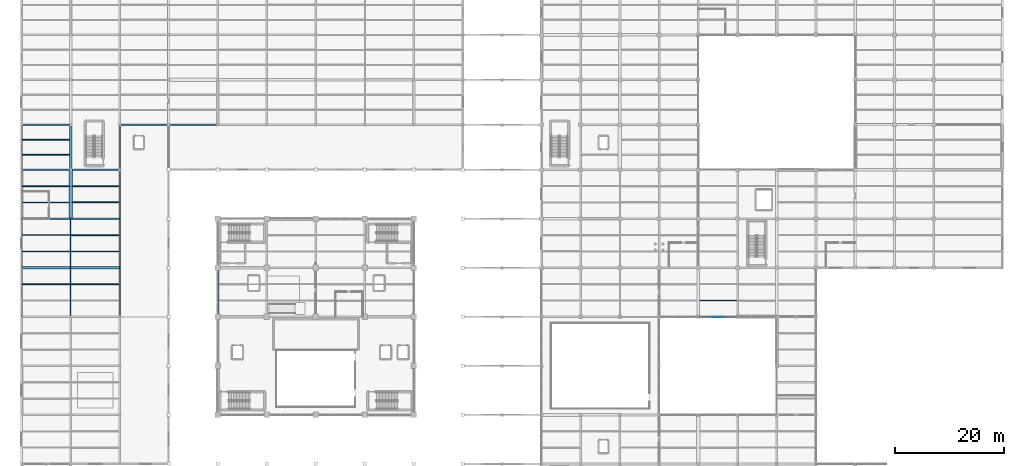
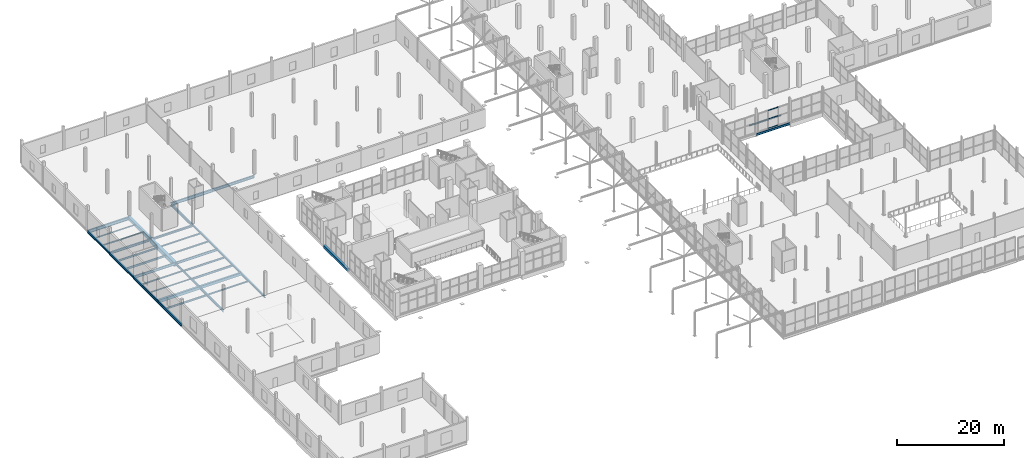
# One storey, part 49 of 147: 36 beams, 3 members, 1 element without a shape of its own.
"""IFC4 building model written with IfcOpenShell, lengths in metres."""

from ifc_helpers import new_model, si_unit, direction, frame, origin, origin_2d, place, context, subcontext, project, spatial, rectangle, hollow_rectangle, i_section, extrude, material, layer, layer_set, material_profile, profile_set, type_object, element, aggregate, save


model = new_model("IFC4")

# Units and contexts
model_context = context("Model", 3, precision=1e-05, world=origin(), true_north=direction((0.0, 1.0)))
body_context = subcontext(model_context, "Body", "Model", "MODEL_VIEW")
ifc_project = project(units=[si_unit("LENGTHUNIT", "METRE"), si_unit("AREAUNIT", "SQUARE_METRE"), si_unit("VOLUMEUNIT", "CUBIC_METRE"), si_unit("PLANEANGLEUNIT", "RADIAN"), si_unit("MASSUNIT", "GRAM", prefix="KILO")], contexts=[model_context])

# Site, building, storey
site_placement = place(None, origin())
site = spatial("IfcSite", under=ifc_project, at=site_placement, CompositionType="ELEMENT")
building_placement = place(site_placement, origin())
building = spatial("IfcBuilding", under=site, at=building_placement, Name="Sundgate Opera House", CompositionType="ELEMENT")
storey_placement = place(building_placement, frame((0.0, 0.0, 6.0)))
storey = spatial("IfcBuildingStorey", under=building, at=storey_placement, Name="L01", CompositionType="ELEMENT", Elevation=6.0)

# Beams
ifc_material_1 = material(Name="Steel S355J2", Category="steel")
ifc_material_profile_1 = material_profile(ifc_material_1, i_section(OverallWidth=0.300048828125, OverallDepth=0.43994140625, WebThickness=0.011474609375, FlangeThickness=0.02099609375, at=origin_2d()), Name="HEA 450")
ifc_profile_set_1 = profile_set([ifc_material_profile_1], Name="Steel S355J2")
beam_type_1 = type_object("IfcBeamType", Name="BM-GR-HEA450", PredefinedType="BEAM", material=ifc_profile_set_1)
beam_1_placement = place(storey_placement, frame((9.0, 87.0, -0.52001953125), z_axis=(1.0, 0.0, 0.0), x_axis=(0.0, 1.0, 0.0)))
element("IfcBeam", 1, at=beam_1_placement, inside=storey, type_object=beam_type_1, Name="L01 Primary E-W Girder B1390", PredefinedType="BEAM", context=body_context, shape_type="SweptSolid", body=[
    extrude(i_section(OverallWidth=0.300048828125, OverallDepth=0.43994140625, WebThickness=0.011474609375, FlangeThickness=0.02099609375, at=origin_2d()), origin(), (0.0, 0.0, 1.0), 9.0),
])
ifc_material_2 = material(Name="Steel S355J2", Category="steel")
ifc_material_profile_2 = material_profile(ifc_material_2, i_section(OverallWidth=0.300048828125, OverallDepth=0.489990234375, WebThickness=0.011962890625, FlangeThickness=0.02294921875, at=origin_2d()), Name="HEA 500")
ifc_profile_set_2 = profile_set([ifc_material_profile_2], Name="Steel S355J2")
beam_type_2 = type_object("IfcBeamType", Name="BM-GR-HEA500", PredefinedType="BEAM", material=ifc_profile_set_2)
beam_2_placement = place(storey_placement, frame((0.0, 87.0, -0.544921875), z_axis=(1.0, 0.0, 0.0), x_axis=(0.0, 1.0, 0.0)))
element("IfcBeam", 2, at=beam_2_placement, inside=storey, type_object=beam_type_2, Name="L01 Primary E-W Girder B1389", PredefinedType="BEAM", context=body_context, shape_type="SweptSolid", body=[
    extrude(i_section(OverallWidth=0.300048828125, OverallDepth=0.489990234375, WebThickness=0.011962890625, FlangeThickness=0.02294921875, at=origin_2d()), origin(), (0.0, 0.0, 1.0), 9.0),
])
ifc_material_3 = material(Name="Steel S355J2", Category="steel")
ifc_material_profile_3 = material_profile(ifc_material_3, i_section(OverallWidth=0.300048828125, OverallDepth=0.590087890625, WebThickness=0.012939453125, FlangeThickness=0.02490234375, at=origin_2d()), Name="HEA 600")
ifc_profile_set_3 = profile_set([ifc_material_profile_3], Name="Steel S355J2")
beam_type_3 = type_object("IfcBeamType", Name="BM-GR-HEA600", PredefinedType="BEAM", material=ifc_profile_set_3)
beam_3_placement = place(storey_placement, frame((18.0, 87.0, -0.594970703125), z_axis=(0.0, 1.0, 0.0), x_axis=(-1.0, 0.0, 0.0)))
element("IfcBeam", 3, at=beam_3_placement, inside=storey, type_object=beam_type_3, Name="L01 Primary N-S Girder B1102", PredefinedType="BEAM", context=body_context, shape_type="SweptSolid", body=[
    extrude(i_section(OverallWidth=0.300048828125, OverallDepth=0.590087890625, WebThickness=0.012939453125, FlangeThickness=0.02490234375, at=origin_2d()), origin(), (0.0, 0.0, 1.0), 8.25),
])
ifc_material_4 = material(Name="Steel S355J2", Category="steel")
ifc_material_profile_4 = material_profile(ifc_material_4, i_section(OverallWidth=0.300048828125, OverallDepth=0.360107421875, WebThickness=0.012451171875, FlangeThickness=0.0224609375, at=origin_2d()), Name="HEB 360")
ifc_profile_set_4 = profile_set([ifc_material_profile_4], Name="Steel S355J2")
beam_type_4 = type_object("IfcBeamType", Name="BM-GR-HEB360", PredefinedType="BEAM", material=ifc_profile_set_4)
beam_4_placement = place(storey_placement, frame((18.0, 78.0, -0.47998046875), z_axis=(0.0, 1.0, 0.0), x_axis=(-1.0, 0.0, 0.0)))
element("IfcBeam", 4, at=beam_4_placement, inside=storey, type_object=beam_type_4, Name="L01 Primary N-S Girder B1101", PredefinedType="BEAM", context=body_context, shape_type="SweptSolid", body=[
    extrude(i_section(OverallWidth=0.300048828125, OverallDepth=0.360107421875, WebThickness=0.012451171875, FlangeThickness=0.0224609375, at=origin_2d()), origin(), (0.0, 0.0, 1.0), 9.0),
])
ifc_material_5 = material(Name="Steel S355J2", Category="steel")
ifc_material_profile_5 = material_profile(ifc_material_5, i_section(OverallWidth=0.300048828125, OverallDepth=0.39990234375, WebThickness=0.013427734375, FlangeThickness=0.02392578125, at=origin_2d()), Name="HEB 400")
ifc_profile_set_5 = profile_set([ifc_material_profile_5], Name="Steel S355J2")
beam_type_5 = type_object("IfcBeamType", Name="BM-GR-HEB400", PredefinedType="BEAM", material=ifc_profile_set_5)
beam_5_placement = place(storey_placement, frame((18.0, 69.0, -0.5), z_axis=(0.0, 1.0, 0.0), x_axis=(-1.0, 0.0, 0.0)))
element("IfcBeam", 5, at=beam_5_placement, inside=storey, type_object=beam_type_5, Name="L01 Primary N-S Girder B1100", PredefinedType="BEAM", context=body_context, shape_type="SweptSolid", body=[
    extrude(i_section(OverallWidth=0.300048828125, OverallDepth=0.39990234375, WebThickness=0.013427734375, FlangeThickness=0.02392578125, at=origin_2d()), origin(), (0.0, 0.0, 1.0), 9.0),
])
ifc_material_6 = material(Name="Steel S355J2", Category="steel")
ifc_material_profile_6 = material_profile(ifc_material_6, i_section(OverallWidth=0.300048828125, OverallDepth=0.449951171875, WebThickness=0.013916015625, FlangeThickness=0.02587890625, at=origin_2d()), Name="HEB 450")
ifc_profile_set_6 = profile_set([ifc_material_profile_6], Name="Steel S355J2")
beam_type_6 = type_object("IfcBeamType", Name="BM-GR-HEB450", PredefinedType="BEAM", material=ifc_profile_set_6)
beam_6_placement = place(storey_placement, frame((18.0, 60.0, -0.52490234375), z_axis=(0.0, 1.0, 0.0), x_axis=(-1.0, 0.0, 0.0)))
element("IfcBeam", 6, at=beam_6_placement, inside=storey, type_object=beam_type_6, Name="L01 Primary N-S Girder B1099", PredefinedType="BEAM", context=body_context, shape_type="SweptSolid", body=[
    extrude(i_section(OverallWidth=0.300048828125, OverallDepth=0.449951171875, WebThickness=0.013916015625, FlangeThickness=0.02587890625, at=origin_2d()), origin(), (0.0, 0.0, 1.0), 9.0),
])
ifc_material_7 = material(Name="Steel S355J2", Category="steel")
ifc_material_profile_7 = material_profile(ifc_material_7, i_section(OverallWidth=0.300048828125, OverallDepth=0.5, WebThickness=0.014404296875, FlangeThickness=0.028076171875, at=origin_2d()), Name="HEB 500")
ifc_profile_set_7 = profile_set([ifc_material_profile_7], Name="Steel S355J2")
beam_type_7 = type_object("IfcBeamType", Name="BM-GR-HEB500", PredefinedType="BEAM", material=ifc_profile_set_7)
beam_7_placement = place(storey_placement, frame((0.0, 87.0, -0.550048828125), z_axis=(0.0, 1.0, 0.0), x_axis=(-1.0, 0.0, 0.0)))
element("IfcBeam", 7, at=beam_7_placement, inside=storey, type_object=beam_type_7, Name="L01 Primary N-S Girder B1076", PredefinedType="BEAM", context=body_context, shape_type="SweptSolid", body=[
    extrude(i_section(OverallWidth=0.300048828125, OverallDepth=0.5, WebThickness=0.014404296875, FlangeThickness=0.028076171875, at=origin_2d()), origin(), (0.0, 0.0, 1.0), 8.25),
])
ifc_material_8 = material(Name="Steel S355J2", Category="steel")
ifc_material_profile_8 = material_profile(ifc_material_8, i_section(OverallWidth=0.300048828125, OverallDepth=0.550048828125, WebThickness=0.014892578125, FlangeThickness=0.029052734375, at=origin_2d()), Name="HEB 550")
ifc_profile_set_8 = profile_set([ifc_material_profile_8], Name="Steel S355J2")
beam_type_8 = type_object("IfcBeamType", Name="BM-GR-HEB550", PredefinedType="BEAM", material=ifc_profile_set_8)
beam_8_placement = place(storey_placement, frame((0.0, 78.0, -0.574951171875), z_axis=(0.0, 1.0, 0.0), x_axis=(-1.0, 0.0, 0.0)))
element("IfcBeam", 8, at=beam_8_placement, inside=storey, type_object=beam_type_8, Name="L01 Primary N-S Girder B1075", PredefinedType="BEAM", context=body_context, shape_type="SweptSolid", body=[
    extrude(i_section(OverallWidth=0.300048828125, OverallDepth=0.550048828125, WebThickness=0.014892578125, FlangeThickness=0.029052734375, at=origin_2d()), origin(), (0.0, 0.0, 1.0), 9.0),
])
ifc_material_9 = material(Name="Steel S355J2", Category="steel")
ifc_material_profile_9 = material_profile(ifc_material_9, i_section(OverallWidth=0.300048828125, OverallDepth=0.60009765625, WebThickness=0.015380859375, FlangeThickness=0.030029296875, at=origin_2d()), Name="HEB 600")
ifc_profile_set_9 = profile_set([ifc_material_profile_9], Name="Steel S355J2")
beam_type_9 = type_object("IfcBeamType", Name="BM-GR-HEB600", PredefinedType="BEAM", material=ifc_profile_set_9)
for number, where, z_axis, x_axis, name in (
    (9, (0.0, 69.0, -0.60009765625), (0.0, 1.0, 0.0), (-1.0, 0.0, 0.0), "L01 Primary N-S Girder B1074"),
    (10, (27.0, 95.25, -0.60009765625), (1.0, 0.0, 0.0), (0.0, 1.0, 0.0), "L01 Primary E-W Girder B1404"),
):
    element("IfcBeam", number, at=place(storey_placement, frame(where, z_axis=z_axis, x_axis=x_axis)), inside=storey, type_object=beam_type_9, Name=name, PredefinedType="BEAM", context=body_context, shape_type="SweptSolid", body=[
        extrude(i_section(OverallWidth=0.300048828125, OverallDepth=0.60009765625, WebThickness=0.015380859375, FlangeThickness=0.030029296875, at=origin_2d()), origin(), (0.0, 0.0, 1.0), 9.0),
    ])
ifc_material_10 = material(Name="Steel S355J2", Category="steel")
ifc_material_profile_10 = material_profile(ifc_material_10, i_section(OverallWidth=0.300048828125, OverallDepth=0.64990234375, WebThickness=0.01611328125, FlangeThickness=0.031005859375, at=origin_2d()), Name="HEB 650")
ifc_profile_set_10 = profile_set([ifc_material_profile_10], Name="Steel S355J2")
beam_type_10 = type_object("IfcBeamType", Name="BM-GR-HEB650", PredefinedType="BEAM", material=ifc_profile_set_10)
for number, where, z_axis, x_axis, name in (
    (11, (0.0, 60.0, -0.625), (0.0, 1.0, 0.0), (-1.0, 0.0, 0.0), "L01 Primary N-S Girder B1073"),
    (12, (18.0, 95.25, -0.625), (1.0, 0.0, 0.0), (0.0, 1.0, 0.0), "L01 Primary E-W Girder B1403"),
):
    element("IfcBeam", number, at=place(storey_placement, frame(where, z_axis=z_axis, x_axis=x_axis)), inside=storey, type_object=beam_type_10, Name=name, PredefinedType="BEAM", context=body_context, shape_type="SweptSolid", body=[
        extrude(i_section(OverallWidth=0.300048828125, OverallDepth=0.64990234375, WebThickness=0.01611328125, FlangeThickness=0.031005859375, at=origin_2d()), origin(), (0.0, 0.0, 1.0), 9.0),
    ])
ifc_material_11 = material(Name="Steel S355J2", Category="steel")
ifc_material_profile_11 = material_profile(ifc_material_11, i_section(OverallWidth=0.300048828125, OverallDepth=0.699951171875, WebThickness=0.01708984375, FlangeThickness=0.031982421875, at=origin_2d()), Name="HEB 700")
ifc_profile_set_11 = profile_set([ifc_material_profile_11], Name="Steel S355J2")
beam_type_11 = type_object("IfcBeamType", Name="BM-GR-HEB700", PredefinedType="BEAM", material=ifc_profile_set_11)
beam_9_placement = place(storey_placement, frame((0.0, 95.25, -0.64990234375), z_axis=(1.0, 0.0, 0.0), x_axis=(0.0, 1.0, 0.0)))
element("IfcBeam", 13, at=beam_9_placement, inside=storey, type_object=beam_type_11, Name="L01 Primary E-W Girder B1402", PredefinedType="BEAM", context=body_context, shape_type="SweptSolid", body=[
    extrude(i_section(OverallWidth=0.300048828125, OverallDepth=0.699951171875, WebThickness=0.01708984375, FlangeThickness=0.031982421875, at=origin_2d()), origin(), (0.0, 0.0, 1.0), 9.0),
])
ifc_material_12 = material(Name="Steel S355J2", Category="steel")
ifc_material_profile_12 = material_profile(ifc_material_12, i_section(OverallWidth=0.199951171875, OverallDepth=0.5, WebThickness=0.01025390625, FlangeThickness=0.01611328125, at=origin_2d()), Name="IPE 500")
ifc_profile_set_12 = profile_set([ifc_material_profile_12], Name="Steel S355J2")
beam_type_12 = type_object("IfcBeamType", Name="BM-GR-IPE500", PredefinedType="BEAM", material=ifc_profile_set_12)
beam_10_placement = place(storey_placement, frame((9.0, 69.0, -0.550048828125), z_axis=(0.0, 1.0, 0.0), x_axis=(-1.0, 0.0, 0.0)))
element("IfcBeam", 14, at=beam_10_placement, inside=storey, type_object=beam_type_12, Name="L01 Primary N-S Girder B1088", PredefinedType="BEAM", context=body_context, shape_type="SweptSolid", body=[
    extrude(i_section(OverallWidth=0.199951171875, OverallDepth=0.5, WebThickness=0.01025390625, FlangeThickness=0.01611328125, at=origin_2d()), origin(), (0.0, 0.0, 1.0), 9.0),
])
beam_11_placement = place(storey_placement, frame((124.199951171875, 60.0, -0.550048828125), z_axis=(1.0, 0.0, 0.0), x_axis=(0.0, 1.0, 0.0)))
element("IfcBeam", 15, at=beam_11_placement, inside=storey, type_object=beam_type_12, Name="L01 Primary E-W Girder B1352", PredefinedType="BEAM", context=body_context, shape_type="SweptSolid", body=[
    extrude(i_section(OverallWidth=0.199951171875, OverallDepth=0.5, WebThickness=0.01025390625, FlangeThickness=0.01611328125, at=origin_2d()), origin(), (0.0, 0.0, 1.0), 7.199951171875),
])
ifc_material_13 = material(Name="Steel S355J2", Category="steel")
ifc_material_profile_13 = material_profile(ifc_material_13, i_section(OverallWidth=0.2099609375, OverallDepth=0.550048828125, WebThickness=0.010986328125, FlangeThickness=0.01708984375, at=origin_2d()), Name="IPE 550")
ifc_profile_set_13 = profile_set([ifc_material_profile_13], Name="Steel S355J2")
beam_type_13 = type_object("IfcBeamType", Name="BM-GR-IPE550", PredefinedType="BEAM", material=ifc_profile_set_13)
for number, where, z_axis, x_axis, name in (
    (16, (9.0, 60.0, -0.574951171875), (0.0, 1.0, 0.0), (-1.0, 0.0, 0.0), "L01 Primary N-S Girder B1087"),
    (17, (9.0, 78.0, -0.574951171875), (1.0, 0.0, 0.0), (0.0, 1.0, 0.0), "L01 Primary E-W Girder B1373"),
):
    element("IfcBeam", number, at=place(storey_placement, frame(where, z_axis=z_axis, x_axis=x_axis)), inside=storey, type_object=beam_type_13, Name=name, PredefinedType="BEAM", context=body_context, shape_type="SweptSolid", body=[
        extrude(i_section(OverallWidth=0.2099609375, OverallDepth=0.550048828125, WebThickness=0.010986328125, FlangeThickness=0.01708984375, at=origin_2d()), origin(), (0.0, 0.0, 1.0), 9.0),
    ])
ifc_material_14 = material(Name="Steel S355J2", Category="steel")
ifc_material_profile_14 = material_profile(ifc_material_14, i_section(OverallWidth=0.219970703125, OverallDepth=0.60009765625, WebThickness=0.011962890625, FlangeThickness=0.01904296875, at=origin_2d()), Name="IPE 600")
ifc_profile_set_14 = profile_set([ifc_material_profile_14], Name="Steel S355J2")
beam_type_14 = type_object("IfcBeamType", Name="BM-GR-IPE600", PredefinedType="BEAM", material=ifc_profile_set_14)
beam_12_placement = place(storey_placement, frame((0.0, 78.0, -0.60009765625), z_axis=(1.0, 0.0, 0.0), x_axis=(0.0, 1.0, 0.0)))
element("IfcBeam", 18, at=beam_12_placement, inside=storey, type_object=beam_type_14, Name="L01 Primary E-W Girder B1372", PredefinedType="BEAM", context=body_context, shape_type="SweptSolid", body=[
    extrude(i_section(OverallWidth=0.219970703125, OverallDepth=0.60009765625, WebThickness=0.011962890625, FlangeThickness=0.01904296875, at=origin_2d()), origin(), (0.0, 0.0, 1.0), 9.0),
])
ifc_material_15 = material(Name="Steel S355J2", Category="steel")
ifc_material_profile_15 = material_profile(ifc_material_15, i_section(OverallWidth=0.1201171875, OverallDepth=0.239990234375, WebThickness=0.006103515625, FlangeThickness=0.009765625, at=origin_2d()), Name="IPE 240")
ifc_profile_set_15 = profile_set([ifc_material_profile_15], Name="Steel S355J2")
beam_type_15 = type_object("IfcBeamType", Name="BM-JS-IPE240", PredefinedType="JOIST", material=ifc_profile_set_15)
beam_13_placement = place(storey_placement, frame((124.449951171875, 63.0, -0.419921875), z_axis=(1.0, 0.0, 0.0), x_axis=(0.0, 1.0, 0.0)))
element("IfcBeam", 19, at=beam_13_placement, inside=storey, type_object=beam_type_15, Name="L01 Secondary Floor Joist B1602", PredefinedType="JOIST", context=body_context, shape_type="SweptSolid", body=[
    extrude(i_section(OverallWidth=0.1201171875, OverallDepth=0.239990234375, WebThickness=0.006103515625, FlangeThickness=0.009765625, at=origin_2d()), origin(), (0.0, 0.0, 1.0), 6.800048828125),
])
beam_14_placement = place(storey_placement, frame((0.14990234375, 75.0, -0.419921875), z_axis=(1.0, 0.0, 0.0), x_axis=(0.0, 1.0, 0.0)))
element("IfcBeam", 20, at=beam_14_placement, inside=storey, type_object=beam_type_15, Name="L01 Secondary Floor Joist B1609", PredefinedType="JOIST", context=body_context, shape_type="SweptSolid", body=[
    extrude(i_section(OverallWidth=0.1201171875, OverallDepth=0.239990234375, WebThickness=0.006103515625, FlangeThickness=0.009765625, at=origin_2d()), origin(), (0.0, 0.0, 1.0), 8.75),
])
ifc_material_16 = material(Name="Steel S355J2", Category="steel")
ifc_material_profile_16 = material_profile(ifc_material_16, i_section(OverallWidth=0.135009765625, OverallDepth=0.27001953125, WebThickness=0.006591796875, FlangeThickness=0.01025390625, at=origin_2d()), Name="IPE 270")
ifc_profile_set_16 = profile_set([ifc_material_profile_16], Name="Steel S355J2")
beam_type_16 = type_object("IfcBeamType", Name="BM-JS-IPE270", PredefinedType="JOIST", material=ifc_profile_set_16)
beam_15_placement = place(storey_placement, frame((0.14990234375, 72.0, -0.43505859375), z_axis=(1.0, 0.0, 0.0), x_axis=(0.0, 1.0, 0.0)))
element("IfcBeam", 21, at=beam_15_placement, inside=storey, type_object=beam_type_16, Name="L01 Secondary Floor Joist B1608", PredefinedType="JOIST", context=body_context, shape_type="SweptSolid", body=[
    extrude(i_section(OverallWidth=0.135009765625, OverallDepth=0.27001953125, WebThickness=0.006591796875, FlangeThickness=0.01025390625, at=origin_2d()), origin(), (0.0, 0.0, 1.0), 8.75),
])
beam_16_placement = place(storey_placement, frame((0.14990234375, 92.5, -0.43505859375), z_axis=(1.0, 0.0, 0.0), x_axis=(0.0, 1.0, 0.0)))
element("IfcBeam", 22, at=beam_16_placement, inside=storey, type_object=beam_type_16, Name="L01 Secondary Floor Joist B1664", PredefinedType="JOIST", context=body_context, shape_type="SweptSolid", body=[
    extrude(i_section(OverallWidth=0.135009765625, OverallDepth=0.27001953125, WebThickness=0.006591796875, FlangeThickness=0.01025390625, at=origin_2d()), origin(), (0.0, 0.0, 1.0), 8.60009765625),
])
ifc_material_17 = material(Name="Steel S355J2", Category="steel")
ifc_material_profile_17 = material_profile(ifc_material_17, i_section(OverallWidth=0.14990234375, OverallDepth=0.300048828125, WebThickness=0.007080078125, FlangeThickness=0.0107421875, at=origin_2d()), Name="IPE 300")
ifc_profile_set_17 = profile_set([ifc_material_profile_17], Name="Steel S355J2")
beam_type_17 = type_object("IfcBeamType", Name="BM-JS-IPE300", PredefinedType="JOIST", material=ifc_profile_set_17)
beam_17_placement = place(storey_placement, frame((0.14990234375, 89.75, -0.449951171875), z_axis=(1.0, 0.0, 0.0), x_axis=(0.0, 1.0, 0.0)))
element("IfcBeam", 23, at=beam_17_placement, inside=storey, type_object=beam_type_17, Name="L01 Secondary Floor Joist B1663", PredefinedType="JOIST", context=body_context, shape_type="SweptSolid", body=[
    extrude(i_section(OverallWidth=0.14990234375, OverallDepth=0.300048828125, WebThickness=0.007080078125, FlangeThickness=0.0107421875, at=origin_2d()), origin(), (0.0, 0.0, 1.0), 8.60009765625),
])
ifc_material_18 = material(Name="Steel S355J2", Category="steel")
ifc_material_profile_18 = material_profile(ifc_material_18, i_section(OverallWidth=0.159912109375, OverallDepth=0.330078125, WebThickness=0.007568359375, FlangeThickness=0.011474609375, at=origin_2d()), Name="IPE 330")
ifc_profile_set_18 = profile_set([ifc_material_profile_18], Name="Steel S355J2")
beam_type_18 = type_object("IfcBeamType", Name="BM-JS-IPE330", PredefinedType="JOIST", material=ifc_profile_set_18)
beam_18_placement = place(storey_placement, frame((9.10498046875, 66.0, -0.465087890625), z_axis=(1.0, 0.0, 0.0), x_axis=(0.0, 1.0, 0.0)))
element("IfcBeam", 24, at=beam_18_placement, inside=storey, type_object=beam_type_18, Name="L01 Secondary Floor Joist B1585", PredefinedType="JOIST", context=body_context, shape_type="SweptSolid", body=[
    extrude(i_section(OverallWidth=0.159912109375, OverallDepth=0.330078125, WebThickness=0.007568359375, FlangeThickness=0.011474609375, at=origin_2d()), origin(), (0.0, 0.0, 1.0), 8.7451171875),
])
beam_19_placement = place(storey_placement, frame((9.300048828125, 84.0, -0.465087890625), z_axis=(1.0, 0.0, 0.0), x_axis=(0.0, 1.0, 0.0)))
element("IfcBeam", 25, at=beam_19_placement, inside=storey, type_object=beam_type_18, Name="L01 Secondary Floor Joist B1641", PredefinedType="JOIST", context=body_context, shape_type="SweptSolid", body=[
    extrude(i_section(OverallWidth=0.159912109375, OverallDepth=0.330078125, WebThickness=0.007568359375, FlangeThickness=0.011474609375, at=origin_2d()), origin(), (0.0, 0.0, 1.0), 8.550048828125),
])
ifc_material_19 = material(Name="Steel S355J2", Category="steel")
ifc_material_profile_19 = material_profile(ifc_material_19, i_section(OverallWidth=0.169921875, OverallDepth=0.360107421875, WebThickness=0.008056640625, FlangeThickness=0.0126953125, at=origin_2d()), Name="IPE 360")
ifc_profile_set_19 = profile_set([ifc_material_profile_19], Name="Steel S355J2")
beam_type_19 = type_object("IfcBeamType", Name="BM-JS-IPE360", PredefinedType="JOIST", material=ifc_profile_set_19)
beam_20_placement = place(storey_placement, frame((9.300048828125, 81.0, -0.47998046875), z_axis=(1.0, 0.0, 0.0), x_axis=(0.0, 1.0, 0.0)))
element("IfcBeam", 26, at=beam_20_placement, inside=storey, type_object=beam_type_19, Name="L01 Secondary Floor Joist B1640", PredefinedType="JOIST", context=body_context, shape_type="SweptSolid", body=[
    extrude(i_section(OverallWidth=0.169921875, OverallDepth=0.360107421875, WebThickness=0.008056640625, FlangeThickness=0.0126953125, at=origin_2d()), origin(), (0.0, 0.0, 1.0), 8.550048828125),
])
ifc_material_20 = material(Name="Steel S355J2", Category="steel")
ifc_material_profile_20 = material_profile(ifc_material_20, i_section(OverallWidth=0.179931640625, OverallDepth=0.39990234375, WebThickness=0.008544921875, FlangeThickness=0.013427734375, at=origin_2d()), Name="IPE 400")
ifc_profile_set_20 = profile_set([ifc_material_profile_20], Name="Steel S355J2")
beam_type_20 = type_object("IfcBeamType", Name="BM-JS-IPE400", PredefinedType="JOIST", material=ifc_profile_set_20)
beam_21_placement = place(storey_placement, frame((0.14990234375, 66.0, -0.5), z_axis=(1.0, 0.0, 0.0), x_axis=(0.0, 1.0, 0.0)))
element("IfcBeam", 27, at=beam_21_placement, inside=storey, type_object=beam_type_20, Name="L01 Secondary Floor Joist B1583", PredefinedType="JOIST", context=body_context, shape_type="SweptSolid", body=[
    extrude(i_section(OverallWidth=0.179931640625, OverallDepth=0.39990234375, WebThickness=0.008544921875, FlangeThickness=0.013427734375, at=origin_2d()), origin(), (0.0, 0.0, 1.0), 8.7451171875),
])
beam_22_placement = place(storey_placement, frame((9.10009765625, 75.0, -0.5), z_axis=(1.0, 0.0, 0.0), x_axis=(0.0, 1.0, 0.0)))
element("IfcBeam", 28, at=beam_22_placement, inside=storey, type_object=beam_type_20, Name="L01 Secondary Floor Joist B1611", PredefinedType="JOIST", context=body_context, shape_type="SweptSolid", body=[
    extrude(i_section(OverallWidth=0.179931640625, OverallDepth=0.39990234375, WebThickness=0.008544921875, FlangeThickness=0.013427734375, at=origin_2d()), origin(), (0.0, 0.0, 1.0), 8.75),
])
beam_23_placement = place(storey_placement, frame((0.14990234375, 84.0, -0.5), z_axis=(1.0, 0.0, 0.0), x_axis=(0.0, 1.0, 0.0)))
element("IfcBeam", 29, at=beam_23_placement, inside=storey, type_object=beam_type_20, Name="L01 Secondary Floor Joist B1639", PredefinedType="JOIST", context=body_context, shape_type="SweptSolid", body=[
    extrude(i_section(OverallWidth=0.179931640625, OverallDepth=0.39990234375, WebThickness=0.008544921875, FlangeThickness=0.013427734375, at=origin_2d()), origin(), (0.0, 0.0, 1.0), 8.550048828125),
])
ifc_material_21 = material(Name="Steel S355J2", Category="steel")
ifc_material_profile_21 = material_profile(ifc_material_21, i_section(OverallWidth=0.18994140625, OverallDepth=0.449951171875, WebThickness=0.009521484375, FlangeThickness=0.0146484375, at=origin_2d()), Name="IPE 450")
ifc_profile_set_21 = profile_set([ifc_material_profile_21], Name="Steel S355J2")
beam_type_21 = type_object("IfcBeamType", Name="BM-JS-IPE450", PredefinedType="JOIST", material=ifc_profile_set_21)
beam_24_placement = place(storey_placement, frame((9.10009765625, 72.0, -0.52490234375), z_axis=(1.0, 0.0, 0.0), x_axis=(0.0, 1.0, 0.0)))
element("IfcBeam", 30, at=beam_24_placement, inside=storey, type_object=beam_type_21, Name="L01 Secondary Floor Joist B1610", PredefinedType="JOIST", context=body_context, shape_type="SweptSolid", body=[
    extrude(i_section(OverallWidth=0.18994140625, OverallDepth=0.449951171875, WebThickness=0.009521484375, FlangeThickness=0.0146484375, at=origin_2d()), origin(), (0.0, 0.0, 1.0), 8.75),
])
beam_25_placement = place(storey_placement, frame((0.14990234375, 81.0, -0.52490234375), z_axis=(1.0, 0.0, 0.0), x_axis=(0.0, 1.0, 0.0)))
element("IfcBeam", 31, at=beam_25_placement, inside=storey, type_object=beam_type_21, Name="L01 Secondary Floor Joist B1638", PredefinedType="JOIST", context=body_context, shape_type="SweptSolid", body=[
    extrude(i_section(OverallWidth=0.18994140625, OverallDepth=0.449951171875, WebThickness=0.009521484375, FlangeThickness=0.0146484375, at=origin_2d()), origin(), (0.0, 0.0, 1.0), 8.550048828125),
])
ifc_material_22 = material(Name="Concrete C35/45", Category="concrete")
ifc_material_profile_22 = material_profile(ifc_material_22, rectangle(XDim=0.39990234375, YDim=0.60009765625, at=origin_2d()), Name="RC 400x600")
ifc_profile_set_22 = profile_set([ifc_material_profile_22], Name="Concrete C35/45")
beam_type_22 = type_object("IfcBeamType", Name="BM-RC-400x600", PredefinedType="BEAM", material=ifc_profile_set_22)
beam_26_placement = place(storey_placement, frame((9.0, 69.0, -0.60009765625), z_axis=(1.0, 0.0, 0.0), x_axis=(0.0, 1.0, 0.0)))
element("IfcBeam", 32, at=beam_26_placement, inside=storey, type_object=beam_type_22, Name="L01 Primary E-W Girder B1356", PredefinedType="BEAM", context=body_context, shape_type="SweptSolid", body=[
    extrude(rectangle(XDim=0.39990234375, YDim=0.60009765625, at=origin_2d()), origin(), (0.0, 0.0, 1.0), 9.0),
])
ifc_material_23 = material(Name="Concrete C35/45", Category="concrete")
ifc_material_profile_23 = material_profile(ifc_material_23, rectangle(XDim=0.449951171875, YDim=0.64990234375, at=origin_2d()), Name="RC 450x650")
ifc_profile_set_23 = profile_set([ifc_material_profile_23], Name="Concrete C35/45")
beam_type_23 = type_object("IfcBeamType", Name="BM-RC-450x650", PredefinedType="BEAM", material=ifc_profile_set_23)
for number, where, z_axis, x_axis, name in (
    (33, (36.0, 60.0, -0.625), (0.0, 1.0, 0.0), (-1.0, 0.0, 0.0), "L01 Primary N-S Girder B1113"),
    (34, (0.0, 69.0, -0.625), (1.0, 0.0, 0.0), (0.0, 1.0, 0.0), "L01 Primary E-W Girder B1355"),
):
    element("IfcBeam", number, at=place(storey_placement, frame(where, z_axis=z_axis, x_axis=x_axis)), inside=storey, type_object=beam_type_23, Name=name, PredefinedType="BEAM", context=body_context, shape_type="SweptSolid", body=[
        extrude(rectangle(XDim=0.449951171875, YDim=0.64990234375, at=origin_2d()), origin(), (0.0, 0.0, 1.0), 9.0),
    ])
ifc_material_24 = material(Name="Concrete C40/50", Category="concrete")
ifc_material_profile_24 = material_profile(ifc_material_24, rectangle(XDim=0.5, YDim=0.75, at=origin_2d()), Name="RC 500x750")
ifc_profile_set_24 = profile_set([ifc_material_profile_24], Name="Concrete C40/50")
beam_type_24 = type_object("IfcBeamType", Name="BM-RC-500x750", PredefinedType="BEAM", material=ifc_profile_set_24)
beam_27_placement = place(storey_placement, frame((9.0, 87.0, -0.675048828125), z_axis=(0.0, 1.0, 0.0), x_axis=(-1.0, 0.0, 0.0)))
element("IfcBeam", 35, at=beam_27_placement, inside=storey, type_object=beam_type_24, Name="L01 Primary N-S Girder B1090", PredefinedType="BEAM", context=body_context, shape_type="SweptSolid", body=[
    extrude(rectangle(XDim=0.5, YDim=0.75, at=origin_2d()), origin(), (0.0, 0.0, 1.0), 8.25),
])
ifc_material_25 = material(Name="Concrete C40/50", Category="concrete")
ifc_material_profile_25 = material_profile(ifc_material_25, rectangle(XDim=0.60009765625, YDim=0.949951171875, at=origin_2d()), Name="RC 600x950")
ifc_profile_set_25 = profile_set([ifc_material_profile_25], Name="Concrete C40/50")
beam_type_25 = type_object("IfcBeamType", Name="BM-RC-600x950", PredefinedType="BEAM", material=ifc_profile_set_25)
beam_28_placement = place(storey_placement, frame((9.0, 78.0, -0.77490234375), z_axis=(0.0, 1.0, 0.0), x_axis=(-1.0, 0.0, 0.0)))
element("IfcBeam", 36, at=beam_28_placement, inside=storey, type_object=beam_type_25, Name="L01 Primary N-S Girder B1089", PredefinedType="BEAM", context=body_context, shape_type="SweptSolid", body=[
    extrude(rectangle(XDim=0.60009765625, YDim=0.949951171875, at=origin_2d()), origin(), (0.0, 0.0, 1.0), 9.0),
])

# Curtain wall, members
ifc_material_26 = material(Name="Anodized aluminium and low-iron glass", Category="aluminium")
ifc_layer = layer(ifc_material_26, 0.159912109375)
ifc_layer_set = layer_set([ifc_layer], Name="Anodized aluminium and low-iron glass")
curtain_wall_type = type_object("IfcCurtainWallType", Name="CW-STUDIO-DARK", PredefinedType="NOTDEFINED", material=ifc_layer_set)
curtain_wall_placement = place(storey_placement, origin())
curtain_wall = element("IfcCurtainWall", 37, at=curtain_wall_placement, inside=storey, type_object=curtain_wall_type, Name="L01 Curtain Wall CW055", PredefinedType="NOTDEFINED")
ifc_material_27 = material(Name="Anodized aluminium EN AW-6063", Category="aluminium")
ifc_material_profile_26 = material_profile(ifc_material_27, hollow_rectangle(XDim=0.054931640625, YDim=0.1201171875, WallThickness=0.00390625, at=origin_2d()), Name="CWT 120x55x4")
ifc_profile_set_26 = profile_set([ifc_material_profile_26], Name="Anodized aluminium EN AW-6063")
member_type = type_object("IfcMemberType", Name="CWT-ALU-120x55", PredefinedType="USERDEFINED", material=ifc_profile_set_26)
member_1_placement = place(storey_placement, frame((128.8916015625, 60.0, 0.0), z_axis=(-1.0, 0.0, 0.0), x_axis=(0.0, -1.0, 0.0)))
member_1 = element("IfcMember", 38, at=member_1_placement, type_object=member_type, Name="CW055 Transom 4", ObjectType="TRANSOM", PredefinedType="USERDEFINED", context=body_context, shape_type="SweptSolid", body=[
    extrude(hollow_rectangle(XDim=0.054931640625, YDim=0.1201171875, WallThickness=0.00390625, at=origin_2d()), origin(), (0.0, 0.0, 1.0), 2.183349609375),
])
member_2_placement = place(storey_placement, frame((128.8916015625, 60.0, 2.14990234375), z_axis=(-1.0, 0.0, 0.0), x_axis=(0.0, -1.0, 0.0)))
member_2 = element("IfcMember", 39, at=member_2_placement, type_object=member_type, Name="CW055 Transom 5", ObjectType="TRANSOM", PredefinedType="USERDEFINED", context=body_context, shape_type="SweptSolid", body=[
    extrude(hollow_rectangle(XDim=0.054931640625, YDim=0.1201171875, WallThickness=0.00390625, at=origin_2d()), origin(), (0.0, 0.0, 1.0), 2.183349609375),
])
member_3_placement = place(storey_placement, frame((128.8916015625, 60.0, 4.06494140625), z_axis=(-1.0, 0.0, 0.0), x_axis=(0.0, -1.0, 0.0)))
member_3 = element("IfcMember", 40, at=member_3_placement, type_object=member_type, Name="CW055 Transom 6", ObjectType="TRANSOM", PredefinedType="USERDEFINED", context=body_context, shape_type="SweptSolid", body=[
    extrude(hollow_rectangle(XDim=0.054931640625, YDim=0.1201171875, WallThickness=0.00390625, at=origin_2d()), origin(), (0.0, 0.0, 1.0), 2.183349609375),
])
aggregate(curtain_wall, [member_1, member_2, member_3])

save(model, "model.ifc")
